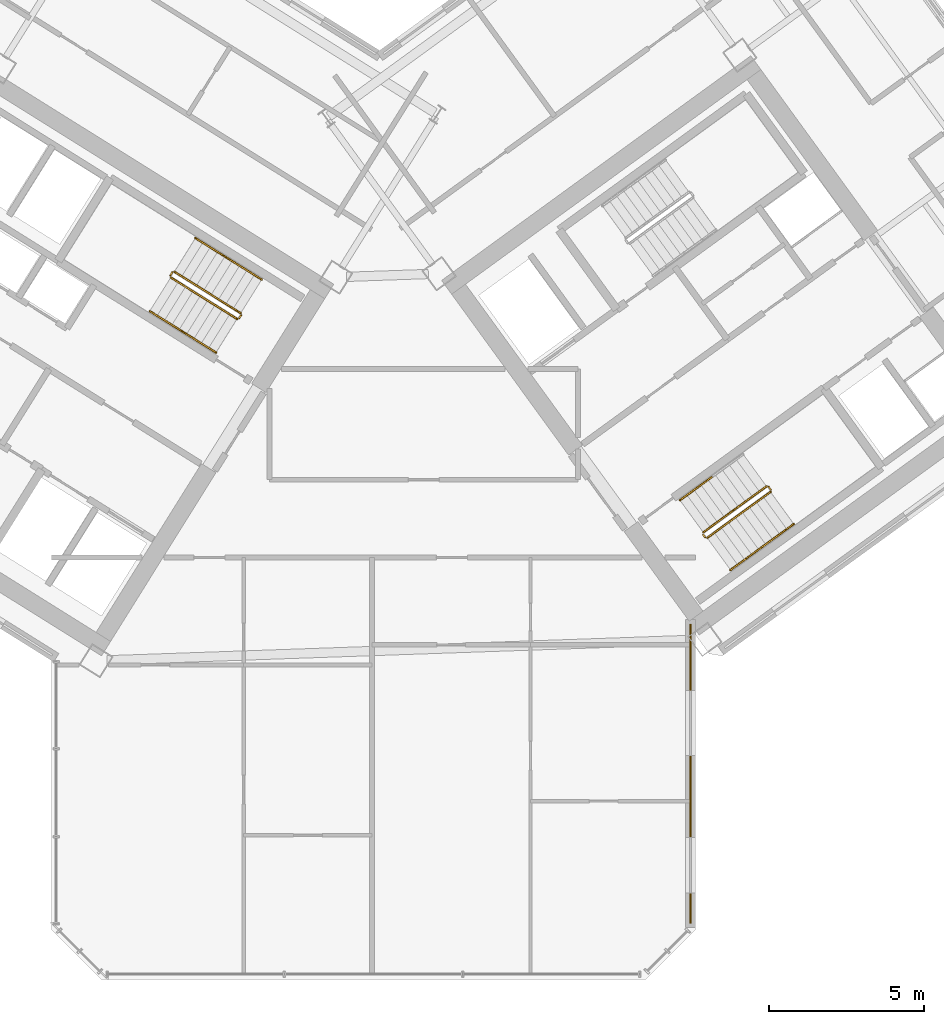
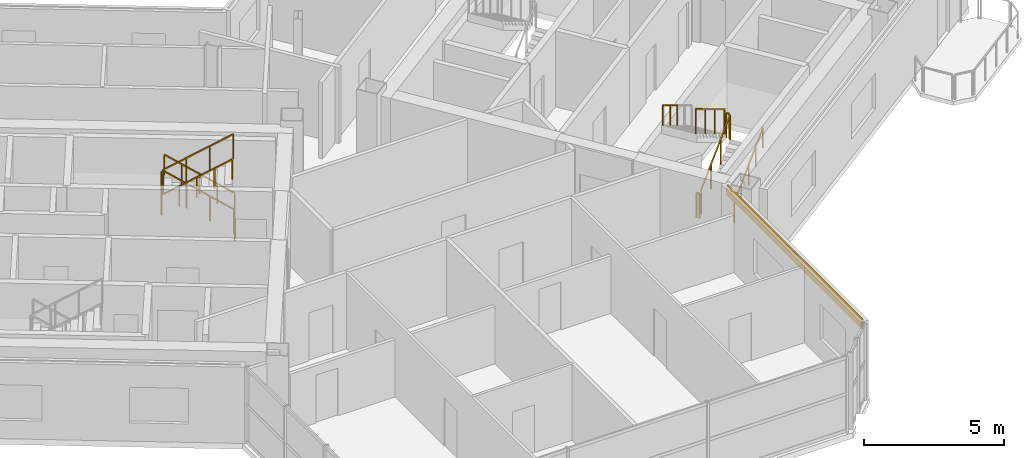
# One storey, part 19 of 21: 15 railings, 1 covering.
"""IFC4 building model written with IfcOpenShell, lengths in metres."""

from ifc_helpers import new_model, si_unit, direction, frame, origin, origin_2d, place, context, subcontext, project, spatial, rectangle, extrude, source, transform, mapped, material, layer, layer_set, type_object, element, save


model = new_model("IFC4")

# Units and contexts
model_context = context("Model", 3, precision=1e-05, world=origin(), true_north=direction((0.0, 1.0)))
body_context = subcontext(model_context, "Body", "Model", "MODEL_VIEW")
ifc_project = project(units=[si_unit("LENGTHUNIT", "METRE"), si_unit("AREAUNIT", "SQUARE_METRE"), si_unit("VOLUMEUNIT", "CUBIC_METRE"), si_unit("PLANEANGLEUNIT", "RADIAN"), si_unit("MASSUNIT", "GRAM", prefix="KILO")], contexts=[model_context])

# Site, building, storey
site_placement = place(None, origin())
site = spatial("IfcSite", under=ifc_project, at=site_placement, CompositionType="ELEMENT")
building_placement = place(site_placement, origin())
building = spatial("IfcBuilding", under=site, at=building_placement, Name="Tlacorven Tower", CompositionType="ELEMENT")
storey_placement = place(building_placement, frame((0.0, 0.0, 191.39990234375)))
storey = spatial("IfcBuildingStorey", under=building, at=storey_placement, Name="L48", CompositionType="ELEMENT", Elevation=191.39990234375)

# Covering
ifc_material_1 = material(Name="Precast concrete C45/55", Category="concrete")
ifc_layer = layer(ifc_material_1, 0.06005859375)
ifc_layer_set = layer_set([ifc_layer], Name="Precast concrete C45/55")
covering_type = type_object("IfcCoveringType", Name="CV-CLD-TERC", PredefinedType="CLADDING", material=ifc_layer_set)
shared_shape_1 = source(origin(), body_context, "Body", "SweptSolid", [
    extrude(rectangle(XDim=9.647705078125, YDim=0.06005859375, at=origin_2d()), origin(), (0.0, 0.0, 1.0), 0.419921875),
])
covering_placement = place(storey_placement, frame((52.239990234375, 8.440185546875, 2.900146484375), z_axis=(0.0, 0.0, 1.0), x_axis=(0.0, -1.0, 0.0)))
element("IfcCovering", 1, at=covering_placement, inside=storey, type_object=covering_type, Name="L48 Masonry-Frame Spandrel Cladding 7", PredefinedType="CLADDING", context=body_context, shape_type="MappedRepresentation", body=[
    mapped(shared_shape_1, transform((0.0, 0.0, 0.0), scale=1.0)),
])

# Railings
ifc_material_2 = material(Name="Aluminium and painted steel balustrade", Category="steel")
railing_type_1 = type_object("IfcRailingType", Name="RL-GRD-1100", PredefinedType="GUARDRAIL", material=ifc_material_2)
shared_shape_2 = source(origin(), body_context, "Body", "SweptSolid", [
    extrude(rectangle(XDim=0.048095703125, YDim=0.048095703125, at=origin_2d()), frame((0.0, 0.0, 1.076171875), z_axis=(-0.530546985787, -0.847655529016, 0.0), x_axis=(0.847655529016, -0.530546985787, 0.0)), (0.0, 0.0, 1.0), 0.1201171875),
    extrude(rectangle(XDim=0.0419921875, YDim=0.0419921875, at=origin_2d()), origin(), (0.0, 0.0, 1.0), 1.052001953125),
    extrude(rectangle(XDim=0.0419921875, YDim=0.0419921875, at=origin_2d()), frame((-0.063720703125, -0.101806640625, 0.0)), (0.0, 0.0, 1.0), 1.052001953125),
])
railing_1_placement = place(storey_placement, frame((37.728271484375, 23.24072265625, 0.0)))
element("IfcRailing", 2, at=railing_1_placement, inside=storey, type_object=railing_type_1, Name="L48 ST-W2 stair guard 4", PredefinedType="GUARDRAIL", context=body_context, shape_type="MappedRepresentation", body=[
    mapped(shared_shape_2, transform((0.0, 0.0, 0.0), scale=1.0)),
])
railing_type_2 = type_object("IfcRailingType", Name="RL-HND-0900", PredefinedType="HANDRAIL", material=ifc_material_2)
shared_shape_3 = source(origin(), body_context, "Body", "SweptSolid", [
    extrude(rectangle(XDim=0.048095703125, YDim=0.048095703125, at=origin_2d()), frame((0.0, 0.0, 0.8759765625), z_axis=(-0.713359751793, 0.4457479829, 0.540764828981), x_axis=(-0.529911857636, -0.848052724267, 0.0)), (0.0, 0.0, 1.0), 1.498046875),
    extrude(rectangle(XDim=0.0419921875, YDim=0.0419921875, at=origin_2d()), origin(), (0.0, 0.0, 1.0), 0.851806640625),
    extrude(rectangle(XDim=0.0419921875, YDim=0.0419921875, at=origin_2d()), frame((-0.5341796875, 0.333984375, 0.405029296875)), (0.0, 0.0, 1.0), 0.851806640625),
    extrude(rectangle(XDim=0.0419921875, YDim=0.0419921875, at=origin_2d()), frame((-1.068603515625, 0.667724609375, 0.81005859375)), (0.0, 0.0, 1.0), 0.851806640625),
])
railing_2_placement = place(storey_placement, frame((37.322021484375, 25.062744140625, 0.989990234375)))
element("IfcRailing", 3, at=railing_2_placement, inside=storey, type_object=railing_type_2, Name="L48 ST-W2 stair handrail 2", PredefinedType="HANDRAIL", context=body_context, shape_type="MappedRepresentation", body=[
    mapped(shared_shape_3, transform((0.0, 0.0, 0.0), scale=1.0)),
])
shared_shape_4 = source(origin(), body_context, "Body", "SweptSolid", [
    extrude(rectangle(XDim=0.048095703125, YDim=0.048095703125, at=origin_2d()), frame((0.0, 0.0, 0.8759765625), z_axis=(0.713359751793, -0.4457479829, 0.540764828981), x_axis=(0.529911857636, 0.848052724267, 0.0)), (0.0, 0.0, 1.0), 1.498046875),
    extrude(rectangle(XDim=0.0419921875, YDim=0.0419921875, at=origin_2d()), origin(), (0.0, 0.0, 1.0), 0.851806640625),
    extrude(rectangle(XDim=0.0419921875, YDim=0.0419921875, at=origin_2d()), frame((0.5341796875, -0.333984375, 0.405029296875)), (0.0, 0.0, 1.0), 0.851806640625),
    extrude(rectangle(XDim=0.0419921875, YDim=0.0419921875, at=origin_2d()), frame((1.068603515625, -0.667724609375, 0.81005859375)), (0.0, 0.0, 1.0), 0.851806640625),
])
for number, where, name in (
    (4, (34.7802734375, 23.372802734375, 1.97998046875), "L48 ST-W2 stair handrail 3"),
    (5, (35.848876953125, 22.705078125, 2.7900390625), "L48 ST-W2 stair handrail 4"),
):
    element("IfcRailing", number, at=place(storey_placement, frame(where)), inside=storey, type_object=railing_type_2, Name=name, PredefinedType="HANDRAIL", context=body_context, shape_type="MappedRepresentation", body=[
        mapped(shared_shape_4, transform((0.0, 0.0, 0.0), scale=1.0)),
    ])
shared_shape_5 = source(origin(), body_context, "Body", "SweptSolid", [
    extrude(rectangle(XDim=0.048095703125, YDim=0.048095703125, at=origin_2d()), frame((0.0, 0.0, 1.076171875), z_axis=(-0.713351164325, 0.445793541512, 0.540738601085), x_axis=(-0.529955395941, -0.84802551749, 0.0)), (0.0, 0.0, 1.0), 2.99560546875),
    extrude(rectangle(XDim=0.0419921875, YDim=0.0419921875, at=origin_2d()), origin(), (0.0, 0.0, 1.0), 1.052001953125),
    extrude(rectangle(XDim=0.0419921875, YDim=0.0419921875, at=origin_2d()), frame((-0.71240234375, 0.445068359375, 0.5400390625)), (0.0, 0.0, 1.0), 1.052001953125),
    extrude(rectangle(XDim=0.0419921875, YDim=0.0419921875, at=origin_2d()), frame((-1.424560546875, 0.890380859375, 1.079833984375)), (0.0, 0.0, 1.0), 1.052001953125),
    extrude(rectangle(XDim=0.0419921875, YDim=0.0419921875, at=origin_2d()), frame((-2.136962890625, 1.33544921875, 1.619873046875)), (0.0, 0.0, 1.0), 1.052001953125),
])
railing_3_placement = place(storey_placement, frame((37.712158203125, 23.3095703125, 0.18017578125)))
element("IfcRailing", 6, at=railing_3_placement, inside=storey, type_object=railing_type_1, Name="L48 ST-W2 stair guard 1", PredefinedType="GUARDRAIL", context=body_context, shape_type="MappedRepresentation", body=[
    mapped(shared_shape_5, transform((0.0, 0.0, 0.0), scale=1.0)),
])
shared_shape_6 = source(origin(), body_context, "Body", "SweptSolid", [
    extrude(rectangle(XDim=0.048095703125, YDim=0.048095703125, at=origin_2d()), frame((0.0, 0.0, 0.8759765625), z_axis=(-0.713422621445, 0.445787267455, 0.540649494022), x_axis=(-0.529911857636, -0.848052724267, 0.0)), (0.0, 0.0, 1.0), 1.497802734375),
    extrude(rectangle(XDim=0.0419921875, YDim=0.0419921875, at=origin_2d()), origin(), (0.0, 0.0, 1.0), 0.851806640625),
    extrude(rectangle(XDim=0.0419921875, YDim=0.0419921875, at=origin_2d()), frame((-0.5341796875, 0.333984375, 0.40478515625)), (0.0, 0.0, 1.0), 0.851806640625),
    extrude(rectangle(XDim=0.0419921875, YDim=0.0419921875, at=origin_2d()), frame((-1.068603515625, 0.667724609375, 0.809814453125)), (0.0, 0.0, 1.0), 0.851806640625),
])
railing_4_placement = place(storey_placement, frame((38.390625, 24.39501953125, 0.18017578125)))
element("IfcRailing", 7, at=railing_4_placement, inside=storey, type_object=railing_type_2, Name="L48 ST-W2 stair handrail 1", PredefinedType="HANDRAIL", context=body_context, shape_type="MappedRepresentation", body=[
    mapped(shared_shape_6, transform((0.0, 0.0, 0.0), scale=1.0)),
])
shared_shape_7 = source(origin(), body_context, "Body", "SweptSolid", [
    extrude(rectangle(XDim=0.048095703125, YDim=0.048095703125, at=origin_2d()), frame((0.0, 0.0, 1.076171875), z_axis=(-0.531462422766, -0.847081869236, 0.0), x_axis=(0.847081869236, -0.531462422766, 0.0)), (0.0, 0.0, 1.0), 0.119873046875),
    extrude(rectangle(XDim=0.0419921875, YDim=0.0419921875, at=origin_2d()), origin(), (0.0, 0.0, 1.0), 1.052001953125),
    extrude(rectangle(XDim=0.0419921875, YDim=0.0419921875, at=origin_2d()), frame((-0.063720703125, -0.1015625, 0.0)), (0.0, 0.0, 1.0), 1.052001953125),
])
railing_5_placement = place(storey_placement, frame((35.50634765625, 24.62890625, 1.800048828125)))
element("IfcRailing", 8, at=railing_5_placement, inside=storey, type_object=railing_type_1, Name="L48 ST-W2 stair guard 2", PredefinedType="GUARDRAIL", context=body_context, shape_type="MappedRepresentation", body=[
    mapped(shared_shape_7, transform((0.0, 0.0, 0.0), scale=1.0)),
])
shared_shape_8 = source(origin(), body_context, "Body", "SweptSolid", [
    extrude(rectangle(XDim=0.048095703125, YDim=0.048095703125, at=origin_2d()), frame((0.0, 0.0, 1.076171875), z_axis=(0.713385662783, -0.445682681033, 0.540784470897), x_axis=(0.52984217967, 0.848096259066, 0.0)), (0.0, 0.0, 1.0), 2.995849609375),
    extrude(rectangle(XDim=0.0419921875, YDim=0.0419921875, at=origin_2d()), origin(), (0.0, 0.0, 1.0), 1.052001953125),
    extrude(rectangle(XDim=0.0419921875, YDim=0.0419921875, at=origin_2d()), frame((0.71240234375, -0.445068359375, 0.5400390625)), (0.0, 0.0, 1.0), 1.052001953125),
    extrude(rectangle(XDim=0.0419921875, YDim=0.0419921875, at=origin_2d()), frame((1.4248046875, -0.89013671875, 1.080078125)), (0.0, 0.0, 1.0), 1.052001953125),
    extrude(rectangle(XDim=0.0419921875, YDim=0.0419921875, at=origin_2d()), frame((2.13720703125, -1.335205078125, 1.6201171875)), (0.0, 0.0, 1.0), 1.052001953125),
])
railing_6_placement = place(storey_placement, frame((35.45849609375, 24.458251953125, 1.97998046875)))
element("IfcRailing", 9, at=railing_6_placement, inside=storey, type_object=railing_type_1, Name="L48 ST-W2 stair guard 3", PredefinedType="GUARDRAIL", context=body_context, shape_type="MappedRepresentation", body=[
    mapped(shared_shape_8, transform((0.0, 0.0, 0.0), scale=1.0)),
])
shared_shape_9 = source(origin(), body_context, "Body", "SweptSolid", [
    extrude(rectangle(XDim=0.048095703125, YDim=0.048095703125, at=origin_2d()), frame((0.0, 0.0, 1.076171875), z_axis=(-0.587567097037, 0.809175448515, 0.0), x_axis=(-0.809175448515, -0.587567097037, 0.0)), (0.0, 0.0, 1.0), 0.1201171875),
    extrude(rectangle(XDim=0.0419921875, YDim=0.0419921875, at=origin_2d()), origin(), (0.0, 0.0, 1.0), 1.052001953125),
    extrude(rectangle(XDim=0.0419921875, YDim=0.0419921875, at=origin_2d()), frame((-0.070556640625, 0.09716796875, 0.0)), (0.0, 0.0, 1.0), 1.052001953125),
])
for number, where, name in (
    (10, (54.8310546875, 17.605712890625, 1.800048828125), "L48 ST-E2 stair guard 2"),
    (11, (52.71142578125, 16.065673828125, 0.0), "L48 ST-E2 stair guard 4"),
):
    element("IfcRailing", number, at=place(storey_placement, frame(where)), inside=storey, type_object=railing_type_1, Name=name, PredefinedType="GUARDRAIL", context=body_context, shape_type="MappedRepresentation", body=[
        mapped(shared_shape_9, transform((0.0, 0.0, 0.0), scale=1.0)),
    ])
shared_shape_10 = source(origin(), body_context, "Body", "SweptSolid", [
    extrude(rectangle(XDim=0.048095703125, YDim=0.048095703125, at=origin_2d()), frame((0.0, 0.0, 0.8759765625), z_axis=(0.680516055757, 0.494372502302, 0.540826891737), x_axis=(-0.587745292299, 0.809046025502, 0.0)), (0.0, 0.0, 1.0), 1.497802734375),
    extrude(rectangle(XDim=0.0419921875, YDim=0.0419921875, at=origin_2d()), origin(), (0.0, 0.0, 1.0), 0.851806640625),
    extrude(rectangle(XDim=0.0419921875, YDim=0.0419921875, at=origin_2d()), frame((0.509765625, 0.3701171875, 0.405029296875)), (0.0, 0.0, 1.0), 0.851806640625),
    extrude(rectangle(XDim=0.0419921875, YDim=0.0419921875, at=origin_2d()), frame((1.019287109375, 0.740478515625, 0.81005859375)), (0.0, 0.0, 1.0), 0.851806640625),
])
railing_7_placement = place(storey_placement, frame((54.552978515625, 15.759765625, 0.989990234375)))
element("IfcRailing", 12, at=railing_7_placement, inside=storey, type_object=railing_type_2, Name="L48 ST-E2 stair handrail 2", PredefinedType="HANDRAIL", context=body_context, shape_type="MappedRepresentation", body=[
    mapped(shared_shape_10, transform((0.0, 0.0, 0.0), scale=1.0)),
])
shared_shape_11 = source(origin(), body_context, "Body", "SweptSolid", [
    extrude(rectangle(XDim=0.048095703125, YDim=0.048095703125, at=origin_2d()), frame((0.0, 0.0, 0.8759765625), z_axis=(-0.680461216233, -0.494495647917, 0.540783309093), x_axis=(0.587872112667, -0.808953879494, 0.0)), (0.0, 0.0, 1.0), 1.498046875),
    extrude(rectangle(XDim=0.0419921875, YDim=0.0419921875, at=origin_2d()), origin(), (0.0, 0.0, 1.0), 0.851806640625),
    extrude(rectangle(XDim=0.0419921875, YDim=0.0419921875, at=origin_2d()), frame((-0.509765625, -0.370361328125, 0.405029296875)), (0.0, 0.0, 1.0), 0.851806640625),
    extrude(rectangle(XDim=0.0419921875, YDim=0.0419921875, at=origin_2d()), frame((-1.019287109375, -0.74072265625, 0.81005859375)), (0.0, 0.0, 1.0), 0.851806640625),
])
railing_8_placement = place(storey_placement, frame((52.9189453125, 18.0087890625, 2.7900390625)))
element("IfcRailing", 13, at=railing_8_placement, inside=storey, type_object=railing_type_2, Name="L48 ST-E2 stair handrail 4", PredefinedType="HANDRAIL", context=body_context, shape_type="MappedRepresentation", body=[
    mapped(shared_shape_11, transform((0.0, 0.0, 0.0), scale=1.0)),
])
shared_shape_12 = source(origin(), body_context, "Body", "SweptSolid", [
    extrude(rectangle(XDim=0.048095703125, YDim=0.048095703125, at=origin_2d()), frame((0.0, 0.0, 1.076171875), z_axis=(-0.680532390839, -0.494406659708, 0.54077511024), x_axis=(0.587762637553, -0.809033424462, 0.0)), (0.0, 0.0, 1.0), 2.995849609375),
    extrude(rectangle(XDim=0.0419921875, YDim=0.0419921875, at=origin_2d()), origin(), (0.0, 0.0, 1.0), 1.052001953125),
    extrude(rectangle(XDim=0.0419921875, YDim=0.0419921875, at=origin_2d()), frame((-0.6796875, -0.49365234375, 0.5400390625)), (0.0, 0.0, 1.0), 1.052001953125),
    extrude(rectangle(XDim=0.0419921875, YDim=0.0419921875, at=origin_2d()), frame((-1.359130859375, -0.987548828125, 1.080078125)), (0.0, 0.0, 1.0), 1.052001953125),
    extrude(rectangle(XDim=0.0419921875, YDim=0.0419921875, at=origin_2d()), frame((-2.038818359375, -1.481201171875, 1.6201171875)), (0.0, 0.0, 1.0), 1.052001953125),
])
railing_9_placement = place(storey_placement, frame((54.690673828125, 17.7138671875, 1.97998046875)))
element("IfcRailing", 14, at=railing_9_placement, inside=storey, type_object=railing_type_1, Name="L48 ST-E2 stair guard 3", PredefinedType="GUARDRAIL", context=body_context, shape_type="MappedRepresentation", body=[
    mapped(shared_shape_12, transform((0.0, 0.0, 0.0), scale=1.0)),
])
shared_shape_13 = source(origin(), body_context, "Body", "SweptSolid", [
    extrude(rectangle(XDim=0.048095703125, YDim=0.048095703125, at=origin_2d()), frame((0.0, 0.0, 1.076171875), z_axis=(0.680562380517, 0.494428447203, 0.540717446381), x_axis=(-0.587762637553, 0.809033424462, 0.0)), (0.0, 0.0, 1.0), 2.995849609375),
    extrude(rectangle(XDim=0.0419921875, YDim=0.0419921875, at=origin_2d()), origin(), (0.0, 0.0, 1.0), 1.052001953125),
    extrude(rectangle(XDim=0.0419921875, YDim=0.0419921875, at=origin_2d()), frame((0.6796875, 0.49365234375, 0.5400390625)), (0.0, 0.0, 1.0), 1.052001953125),
    extrude(rectangle(XDim=0.0419921875, YDim=0.0419921875, at=origin_2d()), frame((1.359130859375, 0.987548828125, 1.079833984375)), (0.0, 0.0, 1.0), 1.052001953125),
    extrude(rectangle(XDim=0.0419921875, YDim=0.0419921875, at=origin_2d()), frame((2.038818359375, 1.481201171875, 1.619873046875)), (0.0, 0.0, 1.0), 1.052001953125),
])
railing_10_placement = place(storey_placement, frame((52.78125, 16.0546875, 0.18017578125)))
element("IfcRailing", 15, at=railing_10_placement, inside=storey, type_object=railing_type_1, Name="L48 ST-E2 stair guard 1", PredefinedType="GUARDRAIL", context=body_context, shape_type="MappedRepresentation", body=[
    mapped(shared_shape_13, transform((0.0, 0.0, 0.0), scale=1.0)),
])
shared_shape_14 = source(origin(), body_context, "Body", "SweptSolid", [
    extrude(rectangle(XDim=0.048095703125, YDim=0.048095703125, at=origin_2d()), frame((0.0, 0.0, 0.8759765625), z_axis=(0.680521190579, 0.494539231669, 0.540667973449), x_axis=(-0.587872112667, 0.808953879494, 0.0)), (0.0, 0.0, 1.0), 1.497802734375),
    extrude(rectangle(XDim=0.0419921875, YDim=0.0419921875, at=origin_2d()), origin(), (0.0, 0.0, 1.0), 0.851806640625),
    extrude(rectangle(XDim=0.0419921875, YDim=0.0419921875, at=origin_2d()), frame((0.509765625, 0.370361328125, 0.40478515625)), (0.0, 0.0, 1.0), 0.851806640625),
    extrude(rectangle(XDim=0.0419921875, YDim=0.0419921875, at=origin_2d()), frame((1.019287109375, 0.74072265625, 0.809814453125)), (0.0, 0.0, 1.0), 0.851806640625),
])
railing_11_placement = place(storey_placement, frame((53.53369140625, 15.01904296875, 0.18017578125)))
element("IfcRailing", 16, at=railing_11_placement, inside=storey, type_object=railing_type_2, Name="L48 ST-E2 stair handrail 1", PredefinedType="HANDRAIL", context=body_context, shape_type="MappedRepresentation", body=[
    mapped(shared_shape_14, transform((0.0, 0.0, 0.0), scale=1.0)),
])

save(model, "model.ifc")
